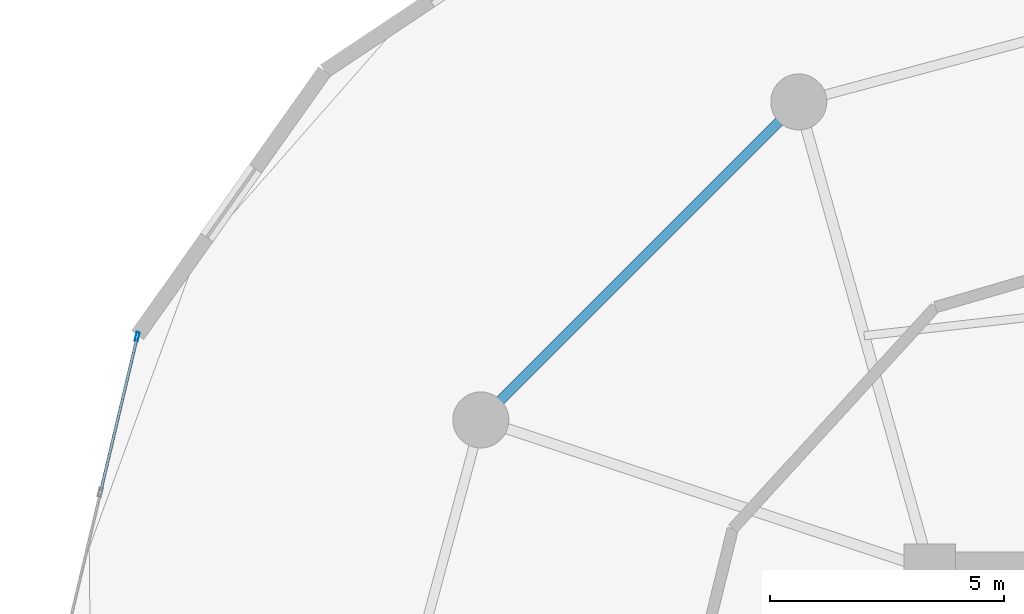
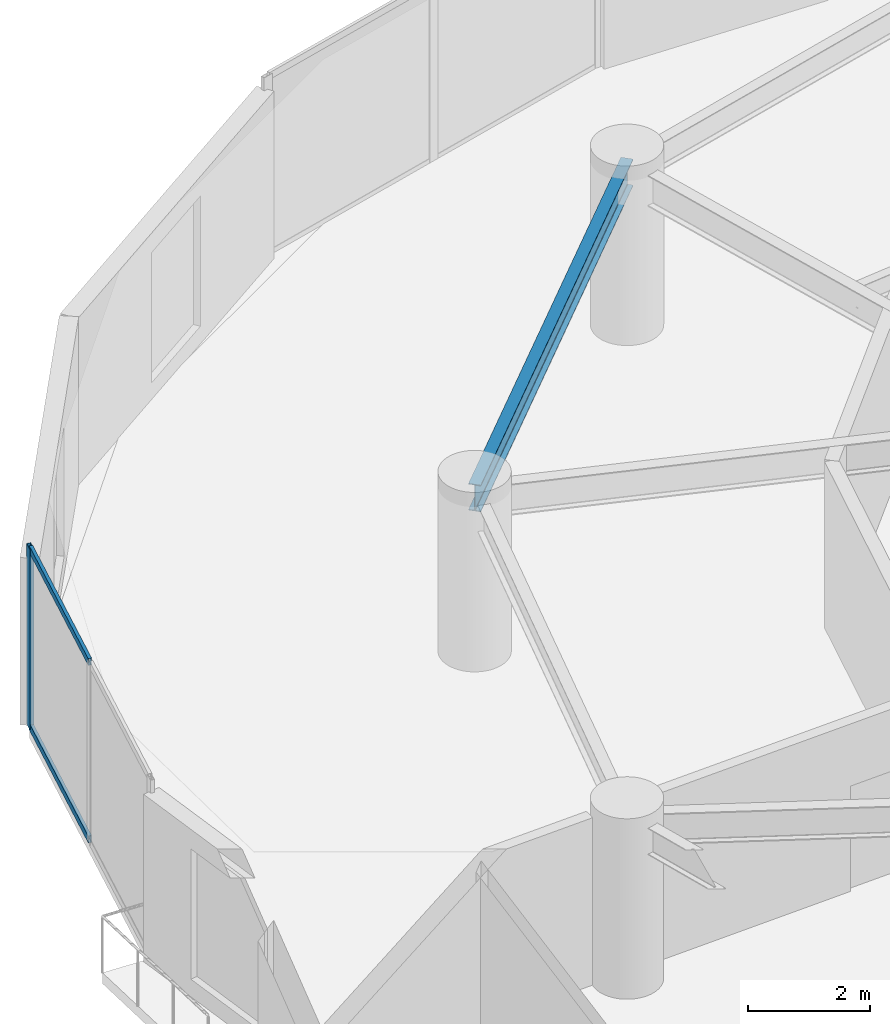
# One storey, part 12 of 24: 3 members, 1 beam, 1 element without a shape of its own.
"""IFC4 building model written with IfcOpenShell, lengths in metres."""

from ifc_helpers import new_model, si_unit, direction, frame, origin, origin_2d, place, context, subcontext, project, spatial, hollow_rectangle, i_section, extrude, source, transform, mapped, material, layer, layer_set, material_profile, profile_set, type_object, element, aggregate, save


model = new_model("IFC4")

# Units and contexts
model_context = context("Model", 3, precision=1e-05, world=origin(), true_north=direction((0.0, 1.0)))
body_context = subcontext(model_context, "Body", "Model", "MODEL_VIEW")
ifc_project = project(units=[si_unit("LENGTHUNIT", "METRE"), si_unit("AREAUNIT", "SQUARE_METRE"), si_unit("VOLUMEUNIT", "CUBIC_METRE"), si_unit("PLANEANGLEUNIT", "RADIAN"), si_unit("MASSUNIT", "GRAM", prefix="KILO")], contexts=[model_context])

# Site, building, storey
site_placement = place(None, origin())
site = spatial("IfcSite", under=ifc_project, at=site_placement, CompositionType="ELEMENT")
building_placement = place(site_placement, origin())
building = spatial("IfcBuilding", under=site, at=building_placement, Name="Solvirekh Grand Hotel", CompositionType="ELEMENT")
storey_placement = place(building_placement, frame((0.0, 0.0, 86.0)))
storey = spatial("IfcBuildingStorey", under=building, at=storey_placement, Name="L21", CompositionType="ELEMENT", Elevation=86.0)

# Beam
ifc_material_1 = material(Name="Steel S355", Category="steel")
ifc_material_profile_1 = material_profile(ifc_material_1, i_section(OverallWidth=0.208984375, OverallDepth=0.532958984375, WebThickness=0.010009765625, FlangeThickness=0.014892578125, FilletRadius=0.013916015625, at=origin_2d()), Name="W530X92")
ifc_profile_set_1 = profile_set([ifc_material_profile_1], Name="Steel S355")
beam_type = type_object("IfcBeamType", Name="Spandrel_Ring_W530", PredefinedType="SPANDREL", material=ifc_profile_set_1)
beam_placement = place(storey_placement, frame((-9.300048828125, 16.10791015625, 3.073974609375), z_axis=(-0.707106781187, -0.707106781187, 0.0), x_axis=(0.707106781187, -0.707106781187, 0.0)))
element("IfcBeam", 1, at=beam_placement, inside=storey, type_object=beam_type, Name="L21 perimeter spandrel beam 5", PredefinedType="SPANDREL", context=body_context, shape_type="SweptSolid", body=[
    extrude(i_section(OverallWidth=0.208984375, OverallDepth=0.532958984375, WebThickness=0.010009765625, FlangeThickness=0.014892578125, FilletRadius=0.013916015625, at=origin_2d()), origin(), (0.0, 0.0, 1.0), 9.627685546875),
])

# Curtain wall, members
ifc_material_2 = material(Name="Anodized Bronze Aluminium 6063-T6", Category="aluminium")
ifc_layer = layer(ifc_material_2, 0.18994140625)
ifc_layer_set = layer_set([ifc_layer], Name="Anodized Bronze Aluminium 6063-T6")
curtain_wall_type = type_object("IfcCurtainWallType", Name="CW_Sys2_LowZoneFlushBronzeCW", PredefinedType="NOTDEFINED", material=ifc_layer_set)
curtain_wall_placement = place(storey_placement, origin())
curtain_wall = element("IfcCurtainWall", 2, at=curtain_wall_placement, inside=storey, type_object=curtain_wall_type, Name="L21 unitised bronze-glass curtain wall CW-L21-C11", PredefinedType="NOTDEFINED")
ifc_material_profile_2 = material_profile(ifc_material_2, hollow_rectangle(XDim=0.070068359375, YDim=0.18994140625, WallThickness=0.0048828125, at=origin_2d()), Name="ALU RHS 190X70X5")
ifc_profile_set_2 = profile_set([ifc_material_profile_2], Name="Anodized Bronze Aluminium 6063-T6")
member_type_1 = type_object("IfcMemberType", Name="CWMullion_Sys2", PredefinedType="MULLION", material=ifc_profile_set_2)
shared_shape_1 = source(origin(), body_context, "Body", "SweptSolid", [
    extrude(hollow_rectangle(XDim=0.070068359375, YDim=0.18994140625, WallThickness=0.0048828125, at=origin_2d()), origin(), (0.0, 0.0, 1.0), 3.60009765625),
])
member_1_placement = place(storey_placement, frame((-23.462158203125, 11.0849609375, 0.0), z_axis=(0.0, 0.0, 1.0), x_axis=(0.973082843945, -0.230455589692, 0.0)))
member_1 = element("IfcMember", 3, at=member_1_placement, type_object=member_type_1, Name="U02 mullion 1", PredefinedType="MULLION", context=body_context, shape_type="MappedRepresentation", body=[
    mapped(shared_shape_1, transform((0.0, 0.0, 0.0), x_axis=(1.0, 0.0, 0.0), y_axis=(0.0, 1.0, 0.0), z_axis=(0.0, 0.0, 1.0), scale=1.0)),
])
ifc_material_profile_3 = material_profile(ifc_material_2, hollow_rectangle(XDim=0.06005859375, YDim=0.135009765625, WallThickness=0.00390625, at=origin_2d()), Name="ALU RHS 135X60X4")
ifc_profile_set_3 = profile_set([ifc_material_profile_3], Name="Anodized Bronze Aluminium 6063-T6")
member_type_2 = type_object("IfcMemberType", Name="CWTransom_Sys2", PredefinedType="USERDEFINED", material=ifc_profile_set_3)
shared_shape_2 = source(origin(), body_context, "Body", "SweptSolid", [
    extrude(hollow_rectangle(XDim=0.06005859375, YDim=0.135009765625, WallThickness=0.00390625, at=origin_2d()), origin(), (0.0, 0.0, 1.0), 3.357666015625),
])
member_2_placement = place(storey_placement, frame((-23.47021484375, 11.05078125, 0.030029296875), z_axis=(-0.230421088266, -0.973091014285, 0.0), x_axis=(0.973091014285, -0.230421088266, 0.0)))
member_2 = element("IfcMember", 4, at=member_2_placement, type_object=member_type_2, Name="U02 transom 1.1", ObjectType="TRANSOM", PredefinedType="USERDEFINED", context=body_context, shape_type="MappedRepresentation", body=[
    mapped(shared_shape_2, transform((0.0, 0.0, 0.0), x_axis=(1.0, 0.0, 0.0), y_axis=(0.0, 1.0, 0.0), z_axis=(0.0, 0.0, 1.0), scale=1.0)),
])
member_3_placement = place(storey_placement, frame((-23.47021484375, 11.05078125, 3.570068359375), z_axis=(-0.230421088266, -0.973091014285, 0.0), x_axis=(0.973091014285, -0.230421088266, 0.0)))
member_3 = element("IfcMember", 5, at=member_3_placement, type_object=member_type_2, Name="U02 transom 1.2", ObjectType="TRANSOM", PredefinedType="USERDEFINED", context=body_context, shape_type="MappedRepresentation", body=[
    mapped(shared_shape_2, transform((0.0, 0.0, 0.0), x_axis=(1.0, 0.0, 0.0), y_axis=(0.0, 1.0, 0.0), z_axis=(0.0, 0.0, 1.0), scale=1.0)),
])
aggregate(curtain_wall, [member_1, member_2, member_3])

save(model, "model.ifc")
